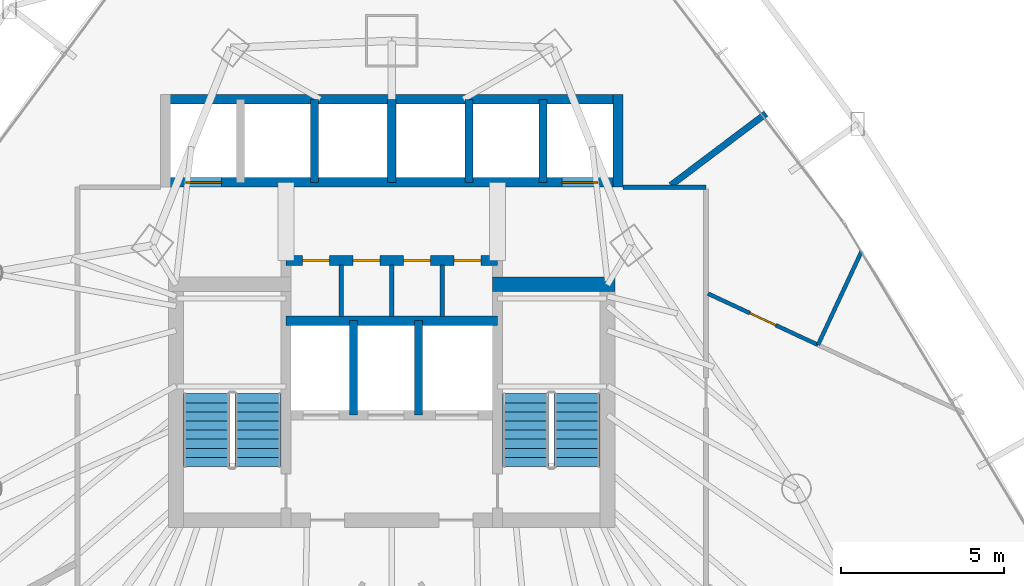
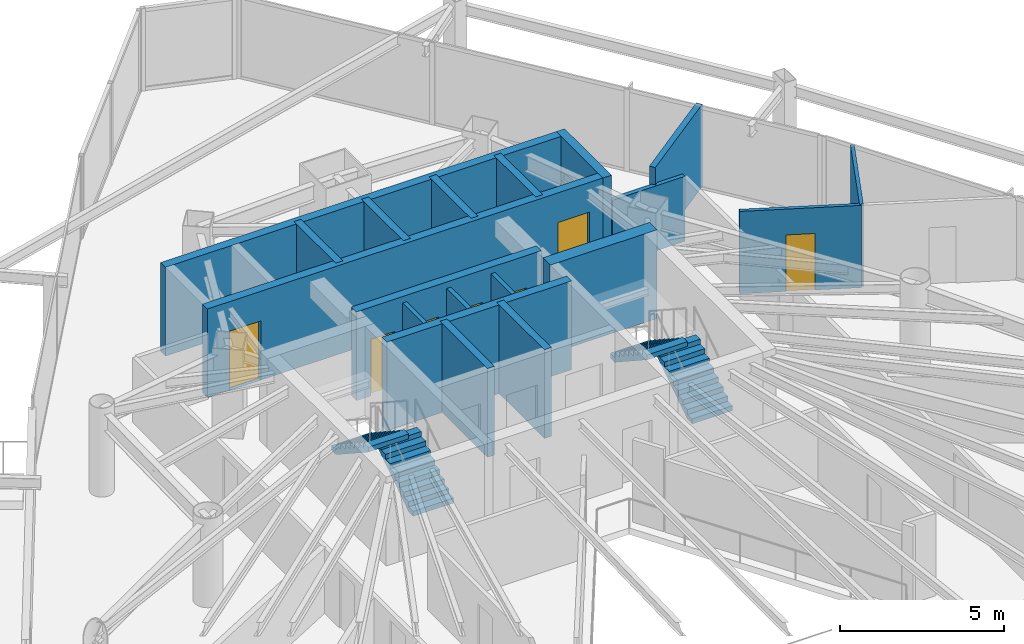
# One storey, part 34 of 38: 19 walls, 7 doors, 4 stair flights, 7 openings, 2 elements without a shape of their own.
"""IFC4 building model written with IfcOpenShell, lengths in metres."""

from ifc_helpers import new_model, si_unit, direction, frame, frame_2d, origin, place, context, subcontext, project, spatial, polyline, rectangle, outline, extrude, material, layer, layer_set, type_object, element, fill, aggregate, save


model = new_model("IFC4")

# Units and contexts
model_context = context("Model", 3, precision=1e-05, world=origin(), true_north=direction((0.0, 1.0)))
body_context = subcontext(model_context, "Body", "Model", "MODEL_VIEW")
ifc_project = project(units=[si_unit("LENGTHUNIT", "METRE"), si_unit("AREAUNIT", "SQUARE_METRE"), si_unit("VOLUMEUNIT", "CUBIC_METRE"), si_unit("PLANEANGLEUNIT", "RADIAN"), si_unit("MASSUNIT", "GRAM", prefix="KILO")], contexts=[model_context])

# Site, building, storey
site_placement = place(None, origin())
site = spatial("IfcSite", under=ifc_project, at=site_placement, CompositionType="ELEMENT")
building_placement = place(site_placement, origin())
building = spatial("IfcBuilding", under=site, at=building_placement, Name="Orvanel Arch Residences", CompositionType="ELEMENT")
storey_placement = place(building_placement, frame((0.0, 0.0, 43.39990234375)))
storey = spatial("IfcBuildingStorey", under=building, at=storey_placement, Name="L11", CompositionType="ELEMENT", Elevation=43.39990234375)

# Walls
ifc_material_1 = material(Name="Concrete N50 (50 MPa)", Category="concrete")
ifc_layer_1 = layer(ifc_material_1, 0.25)
ifc_layer_set_1 = layer_set([ifc_layer_1], Name="Concrete N50 (50 MPa)")
wall_type_1 = type_object("IfcWallType", Name="SW-CORE-250", PredefinedType="SHEAR", material=ifc_layer_set_1)
for number, where, z_axis, x_axis, name in (
    (1, (31.824951171875, 29.89990234375, 0.0), (0.0, 0.0, 1.0), (0.0, 1.0, 0.0), "L11 Emergency Lift Inter-Shaft Wall F12"),
    (2, (33.824951171875, 29.89990234375, 0.0), (0.0, 0.0, 1.0), (0.0, 1.0, 0.0), "L11 Emergency Lift Inter-Shaft Wall F2G"),
):
    element("IfcWall", number, at=place(storey_placement, frame(where, z_axis=z_axis, x_axis=x_axis)), inside=storey, type_object=wall_type_1, Name=name, PredefinedType="SHEAR", context=body_context, shape_type="SweptSolid", body=[
        extrude(rectangle(XDim=2.900146484375, YDim=0.25, at=frame_2d((1.4501953125, 0.0))), origin(), (0.0, 0.0, 1.0), 3.300048828125),
    ])
for number, where, z_axis, x_axis, name in (
    (3, (30.625, 37.050048828125, 0.0), (0.0, 0.0, 1.0), (0.0, 1.0, 0.0), "L11 Passenger Lift Inter-Shaft Wall P35"),
    (4, (33.0, 37.050048828125, 0.0), (0.0, 0.0, 1.0), (0.0, 1.0, 0.0), "L11 Passenger Lift Inter-Shaft Wall P56"),
    (5, (35.375, 37.050048828125, 0.0), (0.0, 0.0, 1.0), (0.0, 1.0, 0.0), "L11 Passenger Lift Inter-Shaft Wall P64"),
    (6, (37.64990234375, 37.050048828125, 0.0), (0.0, 0.0, 1.0), (0.0, 1.0, 0.0), "L11 Passenger Lift Inter-Shaft Wall P42"),
):
    element("IfcWall", number, at=place(storey_placement, frame(where, z_axis=z_axis, x_axis=x_axis)), inside=storey, type_object=wall_type_1, Name=name, PredefinedType="SHEAR", context=body_context, shape_type="SweptSolid", body=[
        extrude(rectangle(XDim=2.550048828125, YDim=0.25, at=frame_2d((1.27490234375, 0.0))), origin(), (0.0, 0.0, 1.0), 3.300048828125),
    ])
ifc_material_2 = material(Name="Concrete S80 (80 MPa)", Category="concrete")
ifc_layer_2 = layer(ifc_material_2, 0.300048828125)
ifc_layer_set_2 = layer_set([ifc_layer_2], Name="Concrete S80 (80 MPa)")
wall_type_2 = type_object("IfcWallType", Name="SW-CORE-300", PredefinedType="SHEAR", material=ifc_layer_set_2)
wall_1_placement = place(storey_placement, frame((29.75, 32.800048828125, 0.0), z_axis=(0.0, 0.0, 1.0), x_axis=(1.0, 0.0, 0.0)))
element("IfcWall", 7, at=wall_1_placement, inside=storey, type_object=wall_type_2, Name="L11 Emergency Lift Back Core Shear Wall", PredefinedType="SHEAR", context=body_context, shape_type="SweptSolid", body=[
    extrude(rectangle(XDim=6.5, YDim=0.300048828125, at=frame_2d((3.25, 0.0))), origin(), (0.0, 0.0, 1.0), 3.300048828125),
])

# Wall, openings, doors
wall_2_placement = place(storey_placement, frame((29.75, 34.64990234375, 0.0), z_axis=(0.0, 0.0, 1.0), x_axis=(1.0, 0.0, 0.0)))
wall_2 = element("IfcWall", 8, at=wall_2_placement, inside=storey, type_object=wall_type_2, Name="L11 Core Service Band North Shear Wall", PredefinedType="SHEAR", context=body_context, shape_type="SweptSolid", body=[
    extrude(rectangle(XDim=6.5, YDim=0.300048828125, at=frame_2d((3.25, 0.0))), origin(), (0.0, 0.0, 1.0), 3.300048828125),
])
opening_1_placement = place(wall_2_placement, frame((0.514892578125, 0.0, 0.0)))
opening_1 = element("IfcOpeningElement", 9, at=opening_1_placement, cuts=wall_2, Name="Opening DS-082", PredefinedType="OPENING", context=body_context, shape_type="SweptSolid", body=[
    extrude(rectangle(XDim=0.820068359375, YDim=2.10009765625, at=frame_2d((0.41015625, 1.050048828125))), frame((0.0, 0.159912109375, 0.0), z_axis=(0.0, -1.0, 0.0), x_axis=(1.0, 0.0, 0.0)), (0.0, 0.0, 1.0), 0.320068359375),
])
opening_2_placement = place(wall_2_placement, frame((2.06494140625, 0.0, 0.0)))
opening_2 = element("IfcOpeningElement", 10, at=opening_2_placement, cuts=wall_2, Name="Opening DS-082", PredefinedType="OPENING", context=body_context, shape_type="SweptSolid", body=[
    extrude(rectangle(XDim=0.820068359375, YDim=2.10009765625, at=frame_2d((0.41015625, 1.050048828125))), frame((0.0, 0.159912109375, 0.0), z_axis=(0.0, -1.0, 0.0), x_axis=(1.0, 0.0, 0.0)), (0.0, 0.0, 1.0), 0.320068359375),
])
opening_3_placement = place(wall_2_placement, frame((3.614990234375, 0.0, 0.0)))
opening_3 = element("IfcOpeningElement", 11, at=opening_3_placement, cuts=wall_2, Name="Opening DS-082", PredefinedType="OPENING", context=body_context, shape_type="SweptSolid", body=[
    extrude(rectangle(XDim=0.820068359375, YDim=2.10009765625, at=frame_2d((0.41015625, 1.050048828125))), frame((0.0, 0.159912109375, 0.0), z_axis=(0.0, -1.0, 0.0), x_axis=(1.0, 0.0, 0.0)), (0.0, 0.0, 1.0), 0.320068359375),
])
opening_4_placement = place(wall_2_placement, frame((5.1650390625, 0.0, 0.0)))
opening_4 = element("IfcOpeningElement", 12, at=opening_4_placement, cuts=wall_2, Name="Opening DS-082", PredefinedType="OPENING", context=body_context, shape_type="SweptSolid", body=[
    extrude(rectangle(XDim=0.820068359375, YDim=2.10009765625, at=frame_2d((0.41015625, 1.050048828125))), frame((0.0, 0.159912109375, 0.0), z_axis=(0.0, -1.0, 0.0), x_axis=(1.0, 0.0, 0.0)), (0.0, 0.0, 1.0), 0.320068359375),
])
ifc_material_3 = material(Name="Galvanised steel fire-resisting door assembly", Category="steel")
door_type_1 = type_object("IfcDoorType", Name="DR-SVC-820", OperationType="NOTDEFINED", PredefinedType="DOOR", material=ifc_material_3)
door_1_placement = place(opening_1_placement, origin())
door_1 = element("IfcDoor", 13, at=door_1_placement, inside=storey, type_object=door_type_1, Name="DR-L11-CSVC-1 L11 Linen Store Door", OperationType="SINGLE_SWING_LEFT", OverallHeight=2.10009765625, OverallWidth=0.820068359375, PredefinedType="DOOR", context=body_context, shape_type="SweptSolid", body=[
    extrude(rectangle(XDim=0.820068359375, YDim=2.10009765625, at=frame_2d((0.41015625, 1.050048828125))), frame((0.0, 0.02490234375, 0.0), z_axis=(0.0, -1.0, 0.0), x_axis=(1.0, 0.0, 0.0)), (0.0, 0.0, 1.0), 0.050048828125),
])
fill(opening_1, door_1)
door_2_placement = place(opening_2_placement, origin())
door_2 = element("IfcDoor", 14, at=door_2_placement, inside=storey, type_object=door_type_1, Name="DR-L11-CSVC-2 L11 Cleaner's Store Door", OperationType="SINGLE_SWING_LEFT", OverallHeight=2.10009765625, OverallWidth=0.820068359375, PredefinedType="DOOR", context=body_context, shape_type="SweptSolid", body=[
    extrude(rectangle(XDim=0.820068359375, YDim=2.10009765625, at=frame_2d((0.41015625, 1.050048828125))), frame((0.0, 0.02490234375, 0.0), z_axis=(0.0, -1.0, 0.0), x_axis=(1.0, 0.0, 0.0)), (0.0, 0.0, 1.0), 0.050048828125),
])
fill(opening_2, door_2)
door_3_placement = place(opening_3_placement, origin())
door_3 = element("IfcDoor", 15, at=door_3_placement, inside=storey, type_object=door_type_1, Name="DR-L11-CSVC-3 L11 Electrical Meter Store Door", OperationType="SINGLE_SWING_LEFT", OverallHeight=2.10009765625, OverallWidth=0.820068359375, PredefinedType="DOOR", context=body_context, shape_type="SweptSolid", body=[
    extrude(rectangle(XDim=0.820068359375, YDim=2.10009765625, at=frame_2d((0.41015625, 1.050048828125))), frame((0.0, 0.02490234375, 0.0), z_axis=(0.0, -1.0, 0.0), x_axis=(1.0, 0.0, 0.0)), (0.0, 0.0, 1.0), 0.050048828125),
])
fill(opening_3, door_3)
door_4_placement = place(opening_4_placement, origin())
door_4 = element("IfcDoor", 16, at=door_4_placement, inside=storey, type_object=door_type_1, Name="DR-L11-CSVC-4 L11 Housekeeping Supply Store Door", OperationType="SINGLE_SWING_LEFT", OverallHeight=2.10009765625, OverallWidth=0.820068359375, PredefinedType="DOOR", context=body_context, shape_type="SweptSolid", body=[
    extrude(rectangle(XDim=0.820068359375, YDim=2.10009765625, at=frame_2d((0.41015625, 1.050048828125))), frame((0.0, 0.02490234375, 0.0), z_axis=(0.0, -1.0, 0.0), x_axis=(1.0, 0.0, 0.0)), (0.0, 0.0, 1.0), 0.050048828125),
])
fill(opening_4, door_4)

wall_3_placement = place(storey_placement, frame((40.10009765625, 37.050048828125, 0.0), z_axis=(0.0, 0.0, 1.0), x_axis=(-1.0, 0.0, 0.0)))
wall_3 = element("IfcWall", 17, at=wall_3_placement, inside=storey, type_object=wall_type_2, Name="L11 Passenger Lift Bank Front Shear Wall", PredefinedType="SHEAR", context=body_context, shape_type="SweptSolid", body=[
    extrude(rectangle(XDim=14.2001953125, YDim=0.300048828125, at=frame_2d((7.10009765625, 0.0))), origin(), (0.0, 0.0, 1.0), 3.300048828125),
])
opening_5_placement = place(wall_3_placement, frame((12.324951171875, 0.0, 0.0)))
opening_5 = element("IfcOpeningElement", 18, at=opening_5_placement, cuts=wall_3, Name="Opening LD-110", PredefinedType="OPENING", context=body_context, shape_type="SweptSolid", body=[
    extrude(rectangle(XDim=1.10009765625, YDim=2.199951171875, at=frame_2d((0.550048828125, 1.10009765625))), frame((0.0, 0.159912109375, 0.0), z_axis=(0.0, -1.0, 0.0), x_axis=(1.0, 0.0, 0.0)), (0.0, 0.0, 1.0), 0.320068359375),
])
opening_6_placement = place(wall_3_placement, frame((0.77490234375, 0.0, 0.0)))
opening_6 = element("IfcOpeningElement", 19, at=opening_6_placement, cuts=wall_3, Name="Opening LD-110", PredefinedType="OPENING", context=body_context, shape_type="SweptSolid", body=[
    extrude(rectangle(XDim=1.10009765625, YDim=2.199951171875, at=frame_2d((0.550048828125, 1.10009765625))), frame((0.0, 0.159912109375, 0.0), z_axis=(0.0, -1.0, 0.0), x_axis=(1.0, 0.0, 0.0)), (0.0, 0.0, 1.0), 0.320068359375),
])
door_type_2 = type_object("IfcDoorType", Name="DR-LFT-1100", OperationType="NOTDEFINED", PredefinedType="DOOR", material=ifc_material_3)
door_5_placement = place(opening_5_placement, origin())
door_5 = element("IfcDoor", 20, at=door_5_placement, inside=storey, type_object=door_type_2, Name="LD-P1-L11 L11 Passenger Lift P1 Sliding Landing Door", OperationType="DOUBLE_DOOR_SLIDING", OverallHeight=2.199951171875, OverallWidth=1.10009765625, PredefinedType="DOOR", context=body_context, shape_type="SweptSolid", body=[
    extrude(rectangle(XDim=1.10009765625, YDim=2.199951171875, at=frame_2d((0.550048828125, 1.10009765625))), frame((0.0, 0.02490234375, 0.0), z_axis=(0.0, -1.0, 0.0), x_axis=(1.0, 0.0, 0.0)), (0.0, 0.0, 1.0), 0.050048828125),
])
fill(opening_5, door_5)
door_6_placement = place(opening_6_placement, origin())
door_6 = element("IfcDoor", 21, at=door_6_placement, inside=storey, type_object=door_type_2, Name="LD-P2-L11 L11 Passenger Lift P2 Sliding Landing Door", OperationType="DOUBLE_DOOR_SLIDING", OverallHeight=2.199951171875, OverallWidth=1.10009765625, PredefinedType="DOOR", context=body_context, shape_type="SweptSolid", body=[
    extrude(rectangle(XDim=1.10009765625, YDim=2.199951171875, at=frame_2d((0.550048828125, 1.10009765625))), frame((0.0, 0.02490234375, 0.0), z_axis=(0.0, -1.0, 0.0), x_axis=(1.0, 0.0, 0.0)), (0.0, 0.0, 1.0), 0.050048828125),
])
fill(opening_6, door_6)

# Walls
wall_4_placement = place(storey_placement, frame((25.89990234375, 39.60009765625, 0.0), z_axis=(0.0, 0.0, 1.0), x_axis=(1.0, 0.0, 0.0)))
element("IfcWall", 22, at=wall_4_placement, inside=storey, type_object=wall_type_2, Name="L11 Passenger Lift Bank North Shear Wall", PredefinedType="SHEAR", context=body_context, shape_type="SweptSolid", body=[
    extrude(rectangle(XDim=14.2001953125, YDim=0.300048828125, at=frame_2d((7.10009765625, 0.0))), origin(), (0.0, 0.0, 1.0), 3.300048828125),
])
wall_5_placement = place(storey_placement, frame((39.949951171875, 36.89990234375, 0.0), z_axis=(0.0, 0.0, 1.0), x_axis=(0.0, 1.0, 0.0)))
element("IfcWall", 23, at=wall_5_placement, inside=storey, type_object=wall_type_2, Name="L11 Passenger Lift Bank East Shear Wall", PredefinedType="SHEAR", context=body_context, shape_type="SweptSolid", body=[
    extrude(rectangle(XDim=2.85009765625, YDim=0.300048828125, at=frame_2d((1.425048828125, 0.0))), origin(), (0.0, 0.0, 1.0), 3.300048828125),
])
ifc_layer_3 = layer(ifc_material_2, 0.449951171875)
ifc_layer_set_3 = layer_set([ifc_layer_3], Name="Concrete S80 (80 MPa)")
wall_type_3 = type_object("IfcWallType", Name="SW-CORE-450", PredefinedType="SHEAR", material=ifc_layer_set_3)
wall_6_placement = place(storey_placement, frame((36.10009765625, 33.925048828125, 0.0), z_axis=(0.0, 0.0, 1.0), x_axis=(1.0, 0.0, 0.0)))
element("IfcWall", 24, at=wall_6_placement, inside=storey, type_object=wall_type_3, Name="L11 East Stair North Shear Wall", PredefinedType="SHEAR", context=body_context, shape_type="SweptSolid", body=[
    extrude(rectangle(XDim=3.75, YDim=0.449951171875, at=frame_2d((1.875, 0.0))), origin(), (0.0, 0.0, 1.0), 3.300048828125),
])
ifc_material_4 = material(Name="Fire-rated plasterboard lined steel stud partition", Category="steel")
ifc_layer_4 = layer(ifc_material_4, 0.14990234375)
ifc_layer_set_4 = layer_set([ifc_layer_4], Name="Fire-rated plasterboard lined steel stud partition")
wall_type_4 = type_object("IfcWallType", Name="W-COR-150", PredefinedType="PARTITIONING", material=ifc_layer_set_4)
wall_7_placement = place(storey_placement, frame((40.10009765625, 36.89990234375, 0.0), z_axis=(0.0, 0.0, 1.0), x_axis=(1.0, 0.0, 0.0)))
element("IfcWall", 25, at=wall_7_placement, inside=storey, type_object=wall_type_4, Name="L11 Corridor Fire-Rated Partition", PredefinedType="PARTITIONING", context=body_context, shape_type="SweptSolid", body=[
    extrude(rectangle(XDim=2.5498046875, YDim=0.14990234375, at=frame_2d((1.27490234375, 0.0))), origin(), (0.0, 0.0, 1.0), 2.4130859375),
])
ifc_layer_5 = layer(ifc_material_4, 0.199951171875)
ifc_layer_set_5 = layer_set([ifc_layer_5], Name="Fire-rated plasterboard lined steel stud partition")
wall_type_5 = type_object("IfcWallType", Name="W-DEM-200", PredefinedType="PARTITIONING", material=ifc_layer_set_5)
wall_8_placement = place(storey_placement, frame((44.489013671875, 39.156982421875, 0.0), z_axis=(0.0, 0.0, 1.0), x_axis=(-0.798682095895, -0.601753196665, 0.0)))
element("IfcWall", 26, at=wall_8_placement, inside=storey, type_object=wall_type_5, Name="L11 Inter-Tenancy Acoustic Demising Wall", PredefinedType="PARTITIONING", context=body_context, shape_type="SweptSolid", body=[
    extrude(rectangle(XDim=3.651123046875, YDim=0.199951171875, at=frame_2d((1.82568359375, 0.0))), origin(), (0.0, 0.0, 1.0), 3.06005859375),
])
ifc_layer_6 = layer(ifc_material_4, 0.14990234375)
ifc_layer_set_6 = layer_set([ifc_layer_6], Name="Fire-rated plasterboard lined steel stud partition")
wall_type_6 = type_object("IfcWallType", Name="W-ST-150", PredefinedType="PARTITIONING", material=ifc_layer_set_6)
for number, where, z_axis, x_axis, name in (
    (27, (31.449951171875, 32.93505859375, 0.0), (0.0, 0.0, 1.0), (0.0, 1.0, 0.0), "L11 Core Service Partition 1"),
    (28, (33.0, 32.93505859375, 0.0), (0.0, 0.0, 1.0), (0.0, 1.0, 0.0), "L11 Core Service Partition 2"),
    (29, (34.550048828125, 32.93505859375, 0.0), (0.0, 0.0, 1.0), (0.0, 1.0, 0.0), "L11 Core Service Partition 3"),
):
    element("IfcWall", number, at=place(storey_placement, frame(where, z_axis=z_axis, x_axis=x_axis)), inside=storey, type_object=wall_type_6, Name=name, PredefinedType="PARTITIONING", context=body_context, shape_type="SweptSolid", body=[
        extrude(rectangle(XDim=1.579833984375, YDim=0.14990234375, at=frame_2d((0.7900390625, 0.0))), origin(), (0.0, 0.0, 1.0), 3.06005859375),
    ])

# Wall, opening, door
ifc_material_5 = material(Name="Acoustic plasterboard lined twin-stud partition", Category="gypsum")
ifc_layer_7 = layer(ifc_material_5, 0.1201171875)
ifc_layer_set_7 = layer_set([ifc_layer_7], Name="Acoustic plasterboard lined twin-stud partition")
wall_type_7 = type_object("IfcWallType", Name="W-WET-120", PredefinedType="PARTITIONING", material=ifc_layer_set_7)
wall_9_placement = place(storey_placement, frame((42.7099609375, 33.634033203125, 0.0), z_axis=(0.0, 0.0, 1.0), x_axis=(0.906380338854, -0.422462638985, 0.0)))
wall_9 = element("IfcWall", 30, at=wall_9_placement, inside=storey, type_object=wall_type_7, Name="L11 Studio D Internal Partition", PredefinedType="PARTITIONING", context=body_context, shape_type="SweptSolid", body=[
    extrude(rectangle(XDim=3.730224609375, YDim=0.1201171875, at=frame_2d((1.865234375, 0.0))), origin(), (0.0, 0.0, 1.0), 3.06005859375),
])
opening_7_placement = place(wall_9_placement, frame((1.425048828125, 0.0, 0.0)))
opening_7 = element("IfcOpeningElement", 31, at=opening_7_placement, cuts=wall_9, Name="Opening DI-088", PredefinedType="OPENING", context=body_context, shape_type="SweptSolid", body=[
    extrude(rectangle(XDim=0.8798828125, YDim=2.10009765625, at=frame_2d((0.43994140625, 1.050048828125))), frame((0.0, 0.070068359375, 0.0), z_axis=(0.0, -1.0, 0.0), x_axis=(1.0, 0.0, 0.0)), (0.0, 0.0, 1.0), 0.14013671875),
])
ifc_material_6 = material(Name="Solid-core European oak veneer fire door leaf", Category="wood")
door_type_3 = type_object("IfcDoorType", Name="DR-INT-880", OperationType="NOTDEFINED", PredefinedType="DOOR", material=ifc_material_6)
door_7_placement = place(opening_7_placement, origin())
door_7 = element("IfcDoor", 32, at=door_7_placement, inside=storey, type_object=door_type_3, Name="DR-L11-D-KIT L11 Studio D Kitchenette Door", OperationType="SINGLE_SWING_LEFT", OverallHeight=2.10009765625, OverallWidth=0.8798828125, PredefinedType="DOOR", context=body_context, shape_type="SweptSolid", body=[
    extrude(rectangle(XDim=0.8798828125, YDim=2.10009765625, at=frame_2d((0.43994140625, 1.050048828125))), frame((0.0, 0.02490234375, 0.0), z_axis=(0.0, -1.0, 0.0), x_axis=(1.0, 0.0, 0.0)), (0.0, 0.0, 1.0), 0.050048828125),
])
fill(opening_7, door_7)

# Wall
wall_10_placement = place(storey_placement, frame((46.091064453125, 32.05810546875, 0.0), z_axis=(0.0, 0.0, 1.0), x_axis=(0.422430644664, 0.906395250677, 0.0)))
element("IfcWall", 33, at=wall_10_placement, inside=storey, type_object=wall_type_7, Name="L11 Studio D Bathroom Partition", PredefinedType="PARTITIONING", context=body_context, shape_type="SweptSolid", body=[
    extrude(rectangle(XDim=3.174072265625, YDim=0.1201171875, at=frame_2d((1.5869140625, 0.0))), origin(), (0.0, 0.0, 1.0), 3.06005859375),
])

# Stair, stair flights
ifc_material_7 = material(Name="Precast concrete N50 (50 MPa)", Category="concrete")
stair_type = type_object("IfcStairType", Name="STR-DOG-184", PredefinedType="USERDEFINED", material=ifc_material_7)
stair_1_placement = place(storey_placement, origin())
stair_1 = element("IfcStair", 34, at=stair_1_placement, inside=storey, type_object=stair_type, Name="L11 Fire-Isolated Core Exit Stair 1", ObjectType="TWO_RETURN_STAIR", PredefinedType="USERDEFINED")
stair_flight_type_1 = type_object("IfcStairFlightType", Name="SFL-C1-184", PredefinedType="STRAIGHT", material=ifc_material_7)
stair_flight_1_placement = place(storey_placement, frame((28.889892578125, 28.320068359375, 0.0), z_axis=(0.0, 0.0, 1.0), x_axis=(0.0, 1.0, 0.0)))
stair_flight_1 = element("IfcStairFlight", 35, at=stair_flight_1_placement, type_object=stair_flight_type_1, Name="ST-1 flight 1", NumberOfRisers=9, NumberOfTreads=8, PredefinedType="STRAIGHT", RiserHeight=0.183333333, TreadLength=0.28, context=body_context, shape_type="SweptSolid", body=[
    extrude(outline(polyline([(0.0, 0.0), (0.0, 0.183349609375), (0.280029296875, 0.183349609375), (0.280029296875, 0.36669921875), (0.56005859375, 0.36669921875), (0.56005859375, 0.550048828125), (0.840087890625, 0.550048828125), (0.840087890625, 0.7333984375), (1.1201171875, 0.7333984375), (1.1201171875, 0.916748046875), (1.39990234375, 0.916748046875), (1.39990234375, 1.10009765625), (1.679931640625, 1.10009765625), (1.679931640625, 1.283447265625), (1.9599609375, 1.283447265625), (1.9599609375, 1.466552734375), (2.239990234375, 1.466552734375), (2.239990234375, 1.64990234375), (2.239990234375, 1.28759765625), (0.273681640625, 0.0), (0.0, 0.0)])), frame((0.0, 0.7099609375, 0.0), z_axis=(0.0, -1.0, 0.0), x_axis=(1.0, 0.0, 0.0)), (0.0, 0.0, 1.0), 1.419921875),
])
stair_flight_2_placement = place(storey_placement, frame((27.31005859375, 30.56005859375, 1.650146484375), z_axis=(0.0, 0.0, 1.0), x_axis=(0.0, -1.0, 0.0)))
stair_flight_2 = element("IfcStairFlight", 36, at=stair_flight_2_placement, type_object=stair_flight_type_1, Name="ST-1 flight 2", NumberOfRisers=9, NumberOfTreads=8, PredefinedType="STRAIGHT", RiserHeight=0.183333333, TreadLength=0.28, context=body_context, shape_type="SweptSolid", body=[
    extrude(outline(polyline([(0.0, 0.0), (0.0, 0.183349609375), (0.280029296875, 0.183349609375), (0.280029296875, 0.36669921875), (0.56005859375, 0.36669921875), (0.56005859375, 0.550048828125), (0.840087890625, 0.550048828125), (0.840087890625, 0.7333984375), (1.1201171875, 0.7333984375), (1.1201171875, 0.916748046875), (1.39990234375, 0.916748046875), (1.39990234375, 1.10009765625), (1.679931640625, 1.10009765625), (1.679931640625, 1.283447265625), (1.9599609375, 1.283447265625), (1.9599609375, 1.466552734375), (2.239990234375, 1.466552734375), (2.239990234375, 1.64990234375), (2.239990234375, 1.28759765625), (0.273681640625, 0.0), (0.0, 0.0)])), frame((0.0, 0.7099609375, 0.0), z_axis=(0.0, -1.0, 0.0), x_axis=(1.0, 0.0, 0.0)), (0.0, 0.0, 1.0), 1.419921875),
])
aggregate(stair_1, [stair_flight_1, stair_flight_2])

stair_2_placement = place(storey_placement, origin())
stair_2 = element("IfcStair", 37, at=stair_2_placement, inside=storey, type_object=stair_type, Name="L11 Fire-Isolated Core Exit Stair 2", ObjectType="TWO_RETURN_STAIR", PredefinedType="USERDEFINED")
stair_flight_type_2 = type_object("IfcStairFlightType", Name="SFL-C2-184", PredefinedType="STRAIGHT", material=ifc_material_7)
stair_flight_3_placement = place(storey_placement, frame((38.68994140625, 28.320068359375, 0.0), z_axis=(0.0, 0.0, 1.0), x_axis=(0.0, 1.0, 0.0)))
stair_flight_3 = element("IfcStairFlight", 38, at=stair_flight_3_placement, type_object=stair_flight_type_2, Name="ST-2 flight 1", NumberOfRisers=9, NumberOfTreads=8, PredefinedType="STRAIGHT", RiserHeight=0.183333333, TreadLength=0.28, context=body_context, shape_type="SweptSolid", body=[
    extrude(outline(polyline([(0.0, 0.0), (0.0, 0.183349609375), (0.280029296875, 0.183349609375), (0.280029296875, 0.36669921875), (0.56005859375, 0.36669921875), (0.56005859375, 0.550048828125), (0.840087890625, 0.550048828125), (0.840087890625, 0.7333984375), (1.1201171875, 0.7333984375), (1.1201171875, 0.916748046875), (1.39990234375, 0.916748046875), (1.39990234375, 1.10009765625), (1.679931640625, 1.10009765625), (1.679931640625, 1.283447265625), (1.9599609375, 1.283447265625), (1.9599609375, 1.466552734375), (2.239990234375, 1.466552734375), (2.239990234375, 1.64990234375), (2.239990234375, 1.28759765625), (0.273681640625, 0.0), (0.0, 0.0)])), frame((0.0, 0.7099609375, 0.0), z_axis=(0.0, -1.0, 0.0), x_axis=(1.0, 0.0, 0.0)), (0.0, 0.0, 1.0), 1.419921875),
])
stair_flight_4_placement = place(storey_placement, frame((37.110107421875, 30.56005859375, 1.650146484375), z_axis=(0.0, 0.0, 1.0), x_axis=(0.0, -1.0, 0.0)))
stair_flight_4 = element("IfcStairFlight", 39, at=stair_flight_4_placement, type_object=stair_flight_type_2, Name="ST-2 flight 2", NumberOfRisers=9, NumberOfTreads=8, PredefinedType="STRAIGHT", RiserHeight=0.183333333, TreadLength=0.28, context=body_context, shape_type="SweptSolid", body=[
    extrude(outline(polyline([(0.0, 0.0), (0.0, 0.183349609375), (0.280029296875, 0.183349609375), (0.280029296875, 0.36669921875), (0.56005859375, 0.36669921875), (0.56005859375, 0.550048828125), (0.840087890625, 0.550048828125), (0.840087890625, 0.7333984375), (1.1201171875, 0.7333984375), (1.1201171875, 0.916748046875), (1.39990234375, 0.916748046875), (1.39990234375, 1.10009765625), (1.679931640625, 1.10009765625), (1.679931640625, 1.283447265625), (1.9599609375, 1.283447265625), (1.9599609375, 1.466552734375), (2.239990234375, 1.466552734375), (2.239990234375, 1.64990234375), (2.239990234375, 1.28759765625), (0.273681640625, 0.0), (0.0, 0.0)])), frame((0.0, 0.7099609375, 0.0), z_axis=(0.0, -1.0, 0.0), x_axis=(1.0, 0.0, 0.0)), (0.0, 0.0, 1.0), 1.419921875),
])
aggregate(stair_2, [stair_flight_3, stair_flight_4])

save(model, "model.ifc")
